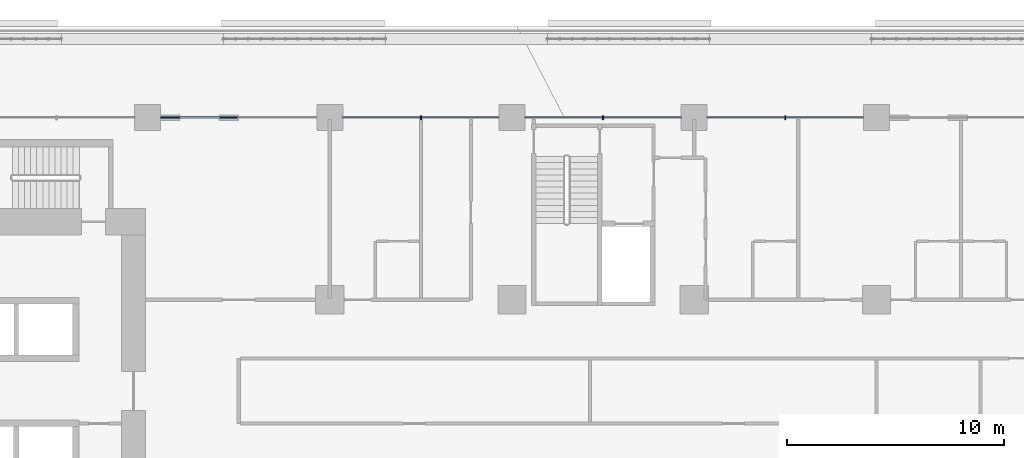
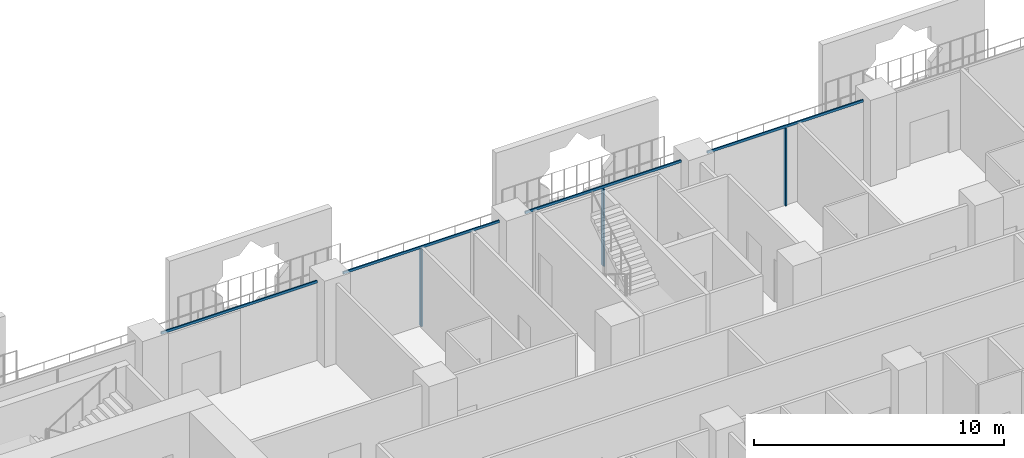
# One storey, part 9 of 28: 7 members, 1 element without a shape of its own.
"""IFC4 building model written with IfcOpenShell, lengths in metres."""

from ifc_helpers import new_model, si_unit, direction, frame, origin, origin_2d, place, context, subcontext, project, spatial, rectangle, extrude, material, layer, layer_set, material_profile, profile_set, type_object, element, aggregate, save


model = new_model("IFC4")

# Units and contexts
model_context = context("Model", 3, precision=1e-05, world=origin(), true_north=direction((0.0, 1.0)))
body_context = subcontext(model_context, "Body", "Model", "MODEL_VIEW")
ifc_project = project(units=[si_unit("LENGTHUNIT", "METRE"), si_unit("AREAUNIT", "SQUARE_METRE"), si_unit("VOLUMEUNIT", "CUBIC_METRE"), si_unit("PLANEANGLEUNIT", "RADIAN"), si_unit("MASSUNIT", "GRAM", prefix="KILO")], contexts=[model_context])

# Site, building, storey
site_placement = place(None, origin())
site = spatial("IfcSite", under=ifc_project, at=site_placement, CompositionType="ELEMENT")
building_placement = place(site_placement, origin())
building = spatial("IfcBuilding", under=site, at=building_placement, Name="Kawkab Arch Medical Tower", CompositionType="ELEMENT")
storey_placement = place(building_placement, frame((0.0, 0.0, 56.0)))
storey = spatial("IfcBuildingStorey", under=building, at=storey_placement, Name="L12", CompositionType="ELEMENT", Elevation=56.0)

# Curtain wall, members
ifc_material_1 = material(Name="Bronze anodised aluminium curtain wall frame", Category="aluminium")
ifc_layer = layer(ifc_material_1, 0.159912109375)
ifc_layer_set = layer_set([ifc_layer], Name="Bronze anodised aluminium curtain wall frame")
curtain_wall_type = type_object("IfcCurtainWallType", Name="CW1 ward curtain wall", PredefinedType="NOTDEFINED", material=ifc_layer_set)
curtain_wall_placement = place(storey_placement, origin())
curtain_wall = element("IfcCurtainWall", 1, at=curtain_wall_placement, inside=storey, type_object=curtain_wall_type, Name="CW1 Ward curtain wall R11", PredefinedType="NOTDEFINED")
ifc_material_2 = material(Name="Bronze anodised aluminium curtain wall frame", Category="aluminium")
ifc_material_profile_1 = material_profile(ifc_material_2, rectangle(XDim=0.179931640625, YDim=0.06005859375, at=origin_2d()), Name="AL 60x180")
ifc_profile_set_1 = profile_set([ifc_material_profile_1], Name="Bronze anodised aluminium curtain wall frame")
member_type_1 = type_object("IfcMemberType", Name="CW1 mullion 60 x 180", PredefinedType="MULLION", material=ifc_profile_set_1)
member_1_placement = place(storey_placement, frame((54.60009765625, 0.0, 0.0), z_axis=(0.0, 0.0, 1.0), x_axis=(0.0, -1.0, 0.0)))
member_1 = element("IfcMember", 2, at=member_1_placement, type_object=member_type_1, Name="CW1 mullion 3.1", PredefinedType="MULLION", context=body_context, shape_type="SweptSolid", body=[
    extrude(rectangle(XDim=0.179931640625, YDim=0.06005859375, at=origin_2d()), origin(), (0.0, 0.0, 1.0), 3.780029296875),
])
member_2_placement = place(storey_placement, frame((46.199951171875, 0.0, 0.0), z_axis=(0.0, 0.0, 1.0), x_axis=(0.0, -1.0, 0.0)))
member_2 = element("IfcMember", 3, at=member_2_placement, type_object=member_type_1, Name="CW1 mullion 4.1", PredefinedType="MULLION", context=body_context, shape_type="SweptSolid", body=[
    extrude(rectangle(XDim=0.179931640625, YDim=0.06005859375, at=origin_2d()), origin(), (0.0, 0.0, 1.0), 3.780029296875),
])
member_3_placement = place(storey_placement, frame((37.800048828125, 0.0, 0.0), z_axis=(0.0, 0.0, 1.0), x_axis=(0.0, -1.0, 0.0)))
member_3 = element("IfcMember", 4, at=member_3_placement, type_object=member_type_1, Name="CW1 mullion 5.1", PredefinedType="MULLION", context=body_context, shape_type="SweptSolid", body=[
    extrude(rectangle(XDim=0.179931640625, YDim=0.06005859375, at=origin_2d()), origin(), (0.0, 0.0, 1.0), 3.780029296875),
])
ifc_material_3 = material(Name="Bronze anodised aluminium curtain wall frame", Category="aluminium")
ifc_material_profile_2 = material_profile(ifc_material_3, rectangle(XDim=0.06005859375, YDim=0.1201171875, at=origin_2d()), Name="AL 60x120")
ifc_profile_set_2 = profile_set([ifc_material_profile_2], Name="Bronze anodised aluminium curtain wall frame")
member_type_2 = type_object("IfcMemberType", Name="CW1 transom 120 x 60", PredefinedType="USERDEFINED", material=ifc_profile_set_2)
member_4_placement = place(storey_placement, frame((58.199951171875, 0.0, 3.840087890625), z_axis=(-1.0, 0.0, 0.0), x_axis=(0.0, -1.0, 0.0)))
member_4 = element("IfcMember", 5, at=member_4_placement, type_object=member_type_2, Name="CW1 transom 3", ObjectType="TRANSOM", PredefinedType="USERDEFINED", context=body_context, shape_type="SweptSolid", body=[
    extrude(rectangle(XDim=0.06005859375, YDim=0.1201171875, at=origin_2d()), origin(), (0.0, 0.0, 1.0), 7.199951171875),
])
member_5_placement = place(storey_placement, frame((49.800048828125, 0.0, 3.840087890625), z_axis=(-1.0, 0.0, 0.0), x_axis=(0.0, -1.0, 0.0)))
member_5 = element("IfcMember", 6, at=member_5_placement, type_object=member_type_2, Name="CW1 transom 4", ObjectType="TRANSOM", PredefinedType="USERDEFINED", context=body_context, shape_type="SweptSolid", body=[
    extrude(rectangle(XDim=0.06005859375, YDim=0.1201171875, at=origin_2d()), origin(), (0.0, 0.0, 1.0), 7.199951171875),
])
member_6_placement = place(storey_placement, frame((41.39990234375, 0.0, 3.840087890625), z_axis=(-1.0, 0.0, 0.0), x_axis=(0.0, -1.0, 0.0)))
member_6 = element("IfcMember", 7, at=member_6_placement, type_object=member_type_2, Name="CW1 transom 5", ObjectType="TRANSOM", PredefinedType="USERDEFINED", context=body_context, shape_type="SweptSolid", body=[
    extrude(rectangle(XDim=0.06005859375, YDim=0.1201171875, at=origin_2d()), origin(), (0.0, 0.0, 1.0), 7.199951171875),
])
member_7_placement = place(storey_placement, frame((33.0, 0.0, 3.840087890625), z_axis=(-1.0, 0.0, 0.0), x_axis=(0.0, -1.0, 0.0)))
member_7 = element("IfcMember", 8, at=member_7_placement, type_object=member_type_2, Name="CW1 transom 6", ObjectType="TRANSOM", PredefinedType="USERDEFINED", context=body_context, shape_type="SweptSolid", body=[
    extrude(rectangle(XDim=0.06005859375, YDim=0.1201171875, at=origin_2d()), origin(), (0.0, 0.0, 1.0), 7.199951171875),
])
aggregate(curtain_wall, [member_4, member_1, member_5, member_2, member_6, member_3, member_7])

save(model, "model.ifc")
